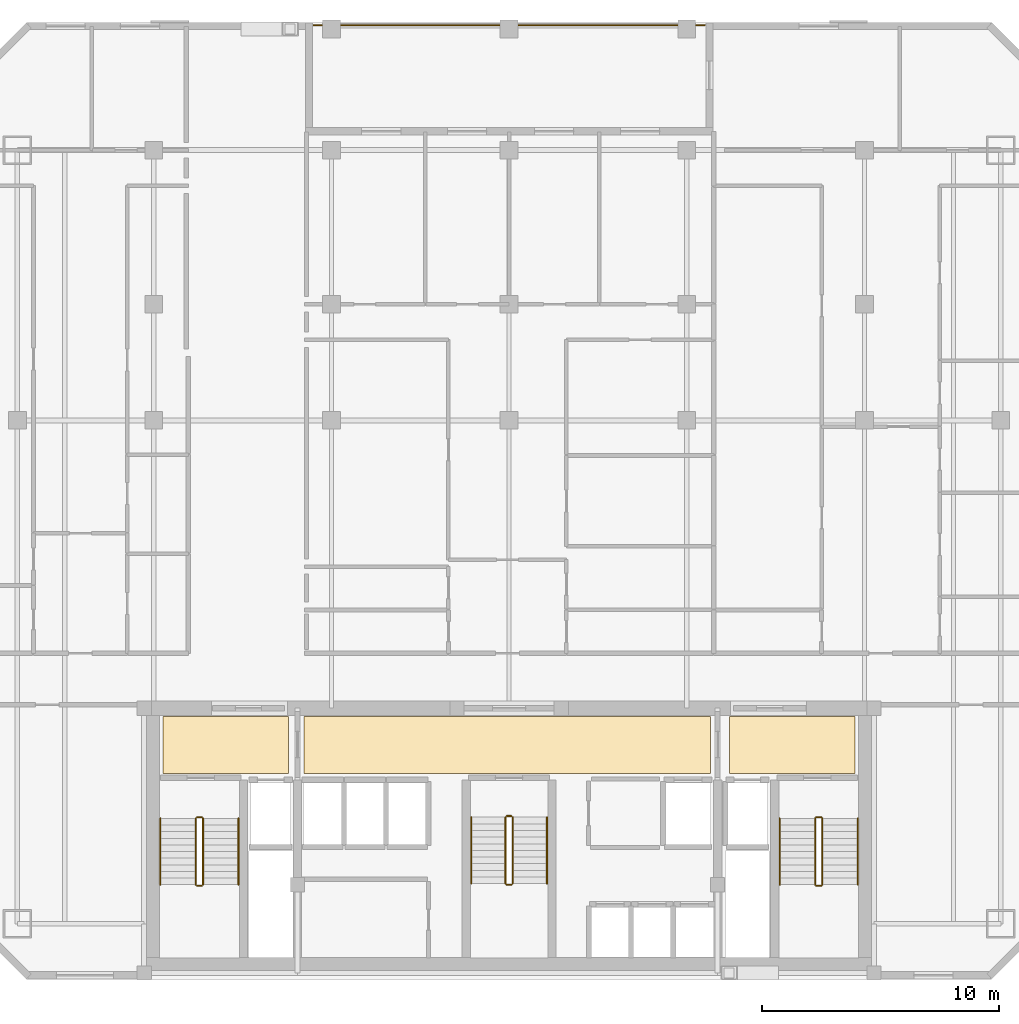
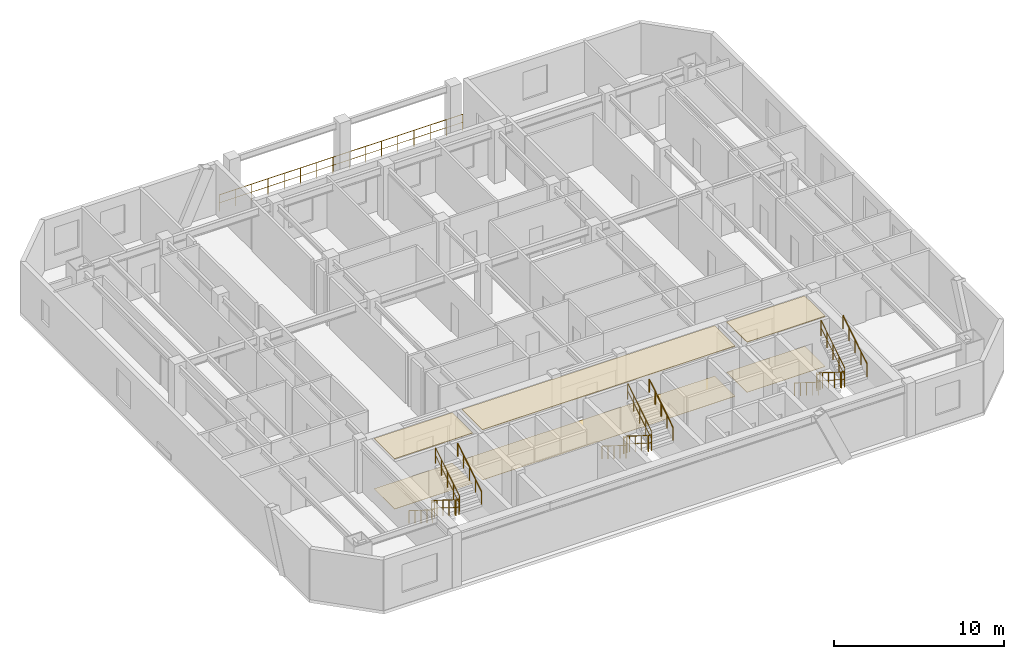
# One storey, part 8 of 8: 19 railings, 6 coverings.
"""IFC4 building model written with IfcOpenShell, lengths in metres."""

from ifc_helpers import new_model, si_unit, direction, frame, origin, origin_2d, place, context, subcontext, project, spatial, polyline, circle, outline, extrude, material, layer, layer_set, type_object, element, save


model = new_model("IFC4")

# Units and contexts
model_context = context("Model", 3, precision=1e-05, world=origin(), true_north=direction((0.0, 1.0)))
body_context = subcontext(model_context, "Body", "Model", "MODEL_VIEW")
ifc_project = project(units=[si_unit("LENGTHUNIT", "METRE"), si_unit("AREAUNIT", "SQUARE_METRE"), si_unit("VOLUMEUNIT", "CUBIC_METRE"), si_unit("PLANEANGLEUNIT", "RADIAN"), si_unit("MASSUNIT", "GRAM", prefix="KILO")], contexts=[model_context])

# Site, building, storey
site_placement = place(None, origin())
site = spatial("IfcSite", under=ifc_project, at=site_placement, CompositionType="ELEMENT")
building_placement = place(site_placement, origin())
building = spatial("IfcBuilding", under=site, at=building_placement, Name="Ventersveld Concourse Tower", CompositionType="ELEMENT")
storey_placement = place(building_placement, frame((0.0, 0.0, 196.449951171875)))
storey = spatial("IfcBuildingStorey", under=building, at=storey_placement, Name="L48", CompositionType="ELEMENT", Elevation=196.449951171875)

# Coverings
ifc_material_1 = material(Name="Mineral-fibre acoustic ceiling tile", Category="gypsum")
ifc_layer_1 = layer(ifc_material_1, 0.0400390625)
ifc_layer_set_1 = layer_set([ifc_layer_1], Name="Mineral-fibre acoustic ceiling tile")
covering_type_1 = type_object("IfcCoveringType", Name="COV-CEIL-ACOUSTIC", PredefinedType="CEILING", material=ifc_layer_set_1)
covering_1_placement = place(storey_placement, frame((0.0, 0.0, 3.590087890625)))
element("IfcCovering", 1, at=covering_1_placement, inside=storey, type_object=covering_type_1, Name="L48 North Lift Lobby Acoustic Ceiling", PredefinedType="CEILING", context=body_context, shape_type="SweptSolid", body=[
    extrude(outline(polyline([(20.10009765625, 8.699951171875), (37.25, 8.699951171875), (37.25, 11.10009765625), (20.10009765625, 11.10009765625), (20.10009765625, 8.699951171875)])), origin(), (0.0, 0.0, 1.0), 0.0400390625),
])
covering_2_placement = place(storey_placement, frame((0.0, 0.0, 3.590087890625)))
element("IfcCovering", 2, at=covering_2_placement, inside=storey, type_object=covering_type_1, Name="L48 West Firefighting Lobby Acoustic Ceiling", PredefinedType="CEILING", context=body_context, shape_type="SweptSolid", body=[
    extrude(outline(polyline([(14.14990234375, 8.699951171875), (19.449951171875, 8.699951171875), (19.449951171875, 11.10009765625), (14.14990234375, 11.10009765625), (14.14990234375, 8.699951171875)])), origin(), (0.0, 0.0, 1.0), 0.0400390625),
])
covering_3_placement = place(storey_placement, frame((0.0, 0.0, 3.590087890625)))
element("IfcCovering", 3, at=covering_3_placement, inside=storey, type_object=covering_type_1, Name="L48 East Firefighting Lobby Acoustic Ceiling", PredefinedType="CEILING", context=body_context, shape_type="SweptSolid", body=[
    extrude(outline(polyline([(38.050048828125, 8.699951171875), (43.35009765625, 8.699951171875), (43.35009765625, 11.10009765625), (38.050048828125, 11.10009765625), (38.050048828125, 8.699951171875)])), origin(), (0.0, 0.0, 1.0), 0.0400390625),
])
ifc_material_2 = material(Name="Polished Highveld granite terrazzo", Category="masonry")
ifc_layer_2 = layer(ifc_material_2, 0.02001953125)
ifc_layer_set_2 = layer_set([ifc_layer_2], Name="Polished Highveld granite terrazzo")
covering_type_2 = type_object("IfcCoveringType", Name="COV-FLOOR-TERRAZZO", PredefinedType="FLOORING", material=ifc_layer_set_2)
covering_4_placement = place(storey_placement, origin())
element("IfcCovering", 4, at=covering_4_placement, inside=storey, type_object=covering_type_2, Name="L48 North Lift Lobby Terrazzo Flooring", PredefinedType="FLOORING", context=body_context, shape_type="SweptSolid", body=[
    extrude(outline(polyline([(20.10009765625, 8.699951171875), (37.25, 8.699951171875), (37.25, 11.10009765625), (20.10009765625, 11.10009765625), (20.10009765625, 8.699951171875)])), origin(), (0.0, 0.0, 1.0), 0.02001953125),
])
covering_5_placement = place(storey_placement, origin())
element("IfcCovering", 5, at=covering_5_placement, inside=storey, type_object=covering_type_2, Name="L48 West Firefighting Lobby Terrazzo Flooring", PredefinedType="FLOORING", context=body_context, shape_type="SweptSolid", body=[
    extrude(outline(polyline([(14.14990234375, 8.699951171875), (19.449951171875, 8.699951171875), (19.449951171875, 11.10009765625), (14.14990234375, 11.10009765625), (14.14990234375, 8.699951171875)])), origin(), (0.0, 0.0, 1.0), 0.02001953125),
])
covering_6_placement = place(storey_placement, origin())
element("IfcCovering", 6, at=covering_6_placement, inside=storey, type_object=covering_type_2, Name="L48 East Firefighting Lobby Terrazzo Flooring", PredefinedType="FLOORING", context=body_context, shape_type="SweptSolid", body=[
    extrude(outline(polyline([(38.050048828125, 8.699951171875), (43.35009765625, 8.699951171875), (43.35009765625, 11.10009765625), (38.050048828125, 11.10009765625), (38.050048828125, 8.699951171875)])), origin(), (0.0, 0.0, 1.0), 0.02001953125),
])

# Railings
ifc_material_3 = material(Name="Brushed stainless steel 316", Category="steel")
railing_type_1 = type_object("IfcRailingType", Name="GD-BAL-115", PredefinedType="GUARDRAIL", material=ifc_material_3)
railing_1_placement = place(storey_placement, frame((15.530029296875, 6.800048828125, 0.175048828125)))
element("IfcRailing", 7, at=railing_1_placement, inside=storey, type_object=railing_type_1, Name="L48 ST-01 stair guard 1", PredefinedType="GUARDRAIL", context=body_context, shape_type="SweptSolid", body=[
    extrude(circle(Radius=0.02392578125, at=origin_2d()), frame((0.0, 0.0, 1.1259765625), z_axis=(0.0, -0.848002457836, 0.529992293815), x_axis=(1.0, 0.0, 0.0)), (0.0, 0.0, 1.0), 3.302001953125),
    extrude(circle(Radius=0.01611328125, at=origin_2d()), frame((0.0, 0.0, 0.574951171875), z_axis=(0.0, -0.848002457836, 0.529992293815), x_axis=(1.0, 0.0, 0.0)), (0.0, 0.0, 1.0), 3.302001953125),
    extrude(circle(Radius=0.02099609375, at=origin_2d()), origin(), (0.0, 0.0, 1.0), 1.101806640625),
    extrude(circle(Radius=0.02099609375, at=origin_2d()), frame((0.0, -0.699951171875, 0.4375)), (0.0, 0.0, 1.0), 1.101806640625),
    extrude(circle(Radius=0.02099609375, at=origin_2d()), frame((0.0, -1.39990234375, 0.875)), (0.0, 0.0, 1.0), 1.101806640625),
    extrude(circle(Radius=0.02099609375, at=origin_2d()), frame((0.0, -2.10009765625, 1.3125)), (0.0, 0.0, 1.0), 1.101806640625),
    extrude(circle(Radius=0.02099609375, at=origin_2d()), frame((0.0, -2.800048828125, 1.75)), (0.0, 0.0, 1.0), 1.101806640625),
])
railing_2_placement = place(storey_placement, frame((15.580078125, 3.949951171875, 1.925048828125)))
element("IfcRailing", 8, at=railing_2_placement, inside=storey, type_object=railing_type_1, Name="L48 ST-01 stair guard 2", PredefinedType="GUARDRAIL", context=body_context, shape_type="SweptSolid", body=[
    extrude(circle(Radius=0.02392578125, at=origin_2d()), frame((0.0, 0.0, 1.1259765625), z_axis=(1.0, 0.0, 0.0), x_axis=(0.0, 1.0, 0.0)), (0.0, 0.0, 1.0), 0.199951171875),
    extrude(circle(Radius=0.01611328125, at=origin_2d()), frame((0.0, 0.0, 0.574951171875), z_axis=(1.0, 0.0, 0.0), x_axis=(0.0, 1.0, 0.0)), (0.0, 0.0, 1.0), 0.199951171875),
    extrude(circle(Radius=0.02099609375, at=origin_2d()), origin(), (0.0, 0.0, 1.0), 1.101806640625),
    extrude(circle(Radius=0.02099609375, at=origin_2d()), frame((0.199951171875, 0.0, 0.0)), (0.0, 0.0, 1.0), 1.101806640625),
])
railing_3_placement = place(storey_placement, frame((15.830078125, 4.0, 2.10009765625)))
element("IfcRailing", 9, at=railing_3_placement, inside=storey, type_object=railing_type_1, Name="L48 ST-01 stair guard 3", PredefinedType="GUARDRAIL", context=body_context, shape_type="SweptSolid", body=[
    extrude(circle(Radius=0.02392578125, at=origin_2d()), frame((0.0, 0.0, 1.1259765625), z_axis=(0.0, 0.848002457836, 0.529992293815), x_axis=(-1.0, 0.0, 0.0)), (0.0, 0.0, 1.0), 3.302001953125),
    extrude(circle(Radius=0.01611328125, at=origin_2d()), frame((0.0, 0.0, 0.574951171875), z_axis=(0.0, 0.848002457836, 0.529992293815), x_axis=(-1.0, 0.0, 0.0)), (0.0, 0.0, 1.0), 3.302001953125),
    extrude(circle(Radius=0.02099609375, at=origin_2d()), origin(), (0.0, 0.0, 1.0), 1.101806640625),
    extrude(circle(Radius=0.02099609375, at=origin_2d()), frame((0.0, 0.699951171875, 0.4375)), (0.0, 0.0, 1.0), 1.101806640625),
    extrude(circle(Radius=0.02099609375, at=origin_2d()), frame((0.0, 1.39990234375, 0.875)), (0.0, 0.0, 1.0), 1.101806640625),
    extrude(circle(Radius=0.02099609375, at=origin_2d()), frame((0.0, 2.10009765625, 1.3125)), (0.0, 0.0, 1.0), 1.101806640625),
    extrude(circle(Radius=0.02099609375, at=origin_2d()), frame((0.0, 2.800048828125, 1.75)), (0.0, 0.0, 1.0), 1.101806640625),
])
railing_4_placement = place(storey_placement, frame((15.580078125, 6.85009765625, 0.0)))
element("IfcRailing", 10, at=railing_4_placement, inside=storey, type_object=railing_type_1, Name="L48 ST-01 stair guard 4", PredefinedType="GUARDRAIL", context=body_context, shape_type="SweptSolid", body=[
    extrude(circle(Radius=0.02392578125, at=origin_2d()), frame((0.0, 0.0, 1.1259765625), z_axis=(1.0, 0.0, 0.0), x_axis=(0.0, 1.0, 0.0)), (0.0, 0.0, 1.0), 0.199951171875),
    extrude(circle(Radius=0.01611328125, at=origin_2d()), frame((0.0, 0.0, 0.574951171875), z_axis=(1.0, 0.0, 0.0), x_axis=(0.0, 1.0, 0.0)), (0.0, 0.0, 1.0), 0.199951171875),
    extrude(circle(Radius=0.02099609375, at=origin_2d()), origin(), (0.0, 0.0, 1.0), 1.101806640625),
    extrude(circle(Radius=0.02099609375, at=origin_2d()), frame((0.199951171875, 0.0, 0.0)), (0.0, 0.0, 1.0), 1.101806640625),
])
railing_5_placement = place(storey_placement, frame((41.669921875, 6.800048828125, 0.175048828125)))
element("IfcRailing", 11, at=railing_5_placement, inside=storey, type_object=railing_type_1, Name="L48 ST-02 stair guard 1", PredefinedType="GUARDRAIL", context=body_context, shape_type="SweptSolid", body=[
    extrude(circle(Radius=0.02392578125, at=origin_2d()), frame((0.0, 0.0, 1.1259765625), z_axis=(0.0, -0.848002457836, 0.529992293815), x_axis=(1.0, 0.0, 0.0)), (0.0, 0.0, 1.0), 3.302001953125),
    extrude(circle(Radius=0.01611328125, at=origin_2d()), frame((0.0, 0.0, 0.574951171875), z_axis=(0.0, -0.848002457836, 0.529992293815), x_axis=(1.0, 0.0, 0.0)), (0.0, 0.0, 1.0), 3.302001953125),
    extrude(circle(Radius=0.02099609375, at=origin_2d()), origin(), (0.0, 0.0, 1.0), 1.101806640625),
    extrude(circle(Radius=0.02099609375, at=origin_2d()), frame((0.0, -0.699951171875, 0.4375)), (0.0, 0.0, 1.0), 1.101806640625),
    extrude(circle(Radius=0.02099609375, at=origin_2d()), frame((0.0, -1.39990234375, 0.875)), (0.0, 0.0, 1.0), 1.101806640625),
    extrude(circle(Radius=0.02099609375, at=origin_2d()), frame((0.0, -2.10009765625, 1.3125)), (0.0, 0.0, 1.0), 1.101806640625),
    extrude(circle(Radius=0.02099609375, at=origin_2d()), frame((0.0, -2.800048828125, 1.75)), (0.0, 0.0, 1.0), 1.101806640625),
])
railing_6_placement = place(storey_placement, frame((41.719970703125, 3.949951171875, 1.925048828125)))
element("IfcRailing", 12, at=railing_6_placement, inside=storey, type_object=railing_type_1, Name="L48 ST-02 stair guard 2", PredefinedType="GUARDRAIL", context=body_context, shape_type="SweptSolid", body=[
    extrude(circle(Radius=0.02392578125, at=origin_2d()), frame((0.0, 0.0, 1.1259765625), z_axis=(1.0, 0.0, 0.0), x_axis=(0.0, 1.0, 0.0)), (0.0, 0.0, 1.0), 0.199951171875),
    extrude(circle(Radius=0.01611328125, at=origin_2d()), frame((0.0, 0.0, 0.574951171875), z_axis=(1.0, 0.0, 0.0), x_axis=(0.0, 1.0, 0.0)), (0.0, 0.0, 1.0), 0.199951171875),
    extrude(circle(Radius=0.02099609375, at=origin_2d()), origin(), (0.0, 0.0, 1.0), 1.101806640625),
    extrude(circle(Radius=0.02099609375, at=origin_2d()), frame((0.199951171875, 0.0, 0.0)), (0.0, 0.0, 1.0), 1.101806640625),
])
railing_7_placement = place(storey_placement, frame((41.969970703125, 4.0, 2.10009765625)))
element("IfcRailing", 13, at=railing_7_placement, inside=storey, type_object=railing_type_1, Name="L48 ST-02 stair guard 3", PredefinedType="GUARDRAIL", context=body_context, shape_type="SweptSolid", body=[
    extrude(circle(Radius=0.02392578125, at=origin_2d()), frame((0.0, 0.0, 1.1259765625), z_axis=(0.0, 0.848002457836, 0.529992293815), x_axis=(-1.0, 0.0, 0.0)), (0.0, 0.0, 1.0), 3.302001953125),
    extrude(circle(Radius=0.01611328125, at=origin_2d()), frame((0.0, 0.0, 0.574951171875), z_axis=(0.0, 0.848002457836, 0.529992293815), x_axis=(-1.0, 0.0, 0.0)), (0.0, 0.0, 1.0), 3.302001953125),
    extrude(circle(Radius=0.02099609375, at=origin_2d()), origin(), (0.0, 0.0, 1.0), 1.101806640625),
    extrude(circle(Radius=0.02099609375, at=origin_2d()), frame((0.0, 0.699951171875, 0.4375)), (0.0, 0.0, 1.0), 1.101806640625),
    extrude(circle(Radius=0.02099609375, at=origin_2d()), frame((0.0, 1.39990234375, 0.875)), (0.0, 0.0, 1.0), 1.101806640625),
    extrude(circle(Radius=0.02099609375, at=origin_2d()), frame((0.0, 2.10009765625, 1.3125)), (0.0, 0.0, 1.0), 1.101806640625),
    extrude(circle(Radius=0.02099609375, at=origin_2d()), frame((0.0, 2.800048828125, 1.75)), (0.0, 0.0, 1.0), 1.101806640625),
])
railing_8_placement = place(storey_placement, frame((41.719970703125, 6.85009765625, 0.0)))
element("IfcRailing", 14, at=railing_8_placement, inside=storey, type_object=railing_type_1, Name="L48 ST-02 stair guard 4", PredefinedType="GUARDRAIL", context=body_context, shape_type="SweptSolid", body=[
    extrude(circle(Radius=0.02392578125, at=origin_2d()), frame((0.0, 0.0, 1.1259765625), z_axis=(1.0, 0.0, 0.0), x_axis=(0.0, 1.0, 0.0)), (0.0, 0.0, 1.0), 0.199951171875),
    extrude(circle(Radius=0.01611328125, at=origin_2d()), frame((0.0, 0.0, 0.574951171875), z_axis=(1.0, 0.0, 0.0), x_axis=(0.0, 1.0, 0.0)), (0.0, 0.0, 1.0), 0.199951171875),
    extrude(circle(Radius=0.02099609375, at=origin_2d()), origin(), (0.0, 0.0, 1.0), 1.101806640625),
    extrude(circle(Radius=0.02099609375, at=origin_2d()), frame((0.199951171875, 0.0, 0.0)), (0.0, 0.0, 1.0), 1.101806640625),
])
railing_9_placement = place(storey_placement, frame((28.60009765625, 6.85009765625, 0.175048828125)))
element("IfcRailing", 15, at=railing_9_placement, inside=storey, type_object=railing_type_1, Name="L48 ST-03 stair guard 1", PredefinedType="GUARDRAIL", context=body_context, shape_type="SweptSolid", body=[
    extrude(circle(Radius=0.02392578125, at=origin_2d()), frame((0.0, 0.0, 1.1259765625), z_axis=(0.0, -0.848002457836, 0.529992293815), x_axis=(1.0, 0.0, 0.0)), (0.0, 0.0, 1.0), 3.302001953125),
    extrude(circle(Radius=0.01611328125, at=origin_2d()), frame((0.0, 0.0, 0.574951171875), z_axis=(0.0, -0.848002457836, 0.529992293815), x_axis=(1.0, 0.0, 0.0)), (0.0, 0.0, 1.0), 3.302001953125),
    extrude(circle(Radius=0.02099609375, at=origin_2d()), origin(), (0.0, 0.0, 1.0), 1.101806640625),
    extrude(circle(Radius=0.02099609375, at=origin_2d()), frame((0.0, -0.699951171875, 0.4375)), (0.0, 0.0, 1.0), 1.101806640625),
    extrude(circle(Radius=0.02099609375, at=origin_2d()), frame((0.0, -1.39990234375, 0.875)), (0.0, 0.0, 1.0), 1.101806640625),
    extrude(circle(Radius=0.02099609375, at=origin_2d()), frame((0.0, -2.10009765625, 1.3125)), (0.0, 0.0, 1.0), 1.101806640625),
    extrude(circle(Radius=0.02099609375, at=origin_2d()), frame((0.0, -2.800048828125, 1.75)), (0.0, 0.0, 1.0), 1.101806640625),
])
railing_10_placement = place(storey_placement, frame((28.64990234375, 4.0, 1.925048828125)))
element("IfcRailing", 16, at=railing_10_placement, inside=storey, type_object=railing_type_1, Name="L48 ST-03 stair guard 2", PredefinedType="GUARDRAIL", context=body_context, shape_type="SweptSolid", body=[
    extrude(circle(Radius=0.02392578125, at=origin_2d()), frame((0.0, 0.0, 1.1259765625), z_axis=(1.0, 0.0, 0.0), x_axis=(0.0, 1.0, 0.0)), (0.0, 0.0, 1.0), 0.2001953125),
    extrude(circle(Radius=0.01611328125, at=origin_2d()), frame((0.0, 0.0, 0.574951171875), z_axis=(1.0, 0.0, 0.0), x_axis=(0.0, 1.0, 0.0)), (0.0, 0.0, 1.0), 0.2001953125),
    extrude(circle(Radius=0.02099609375, at=origin_2d()), origin(), (0.0, 0.0, 1.0), 1.101806640625),
    extrude(circle(Radius=0.02099609375, at=origin_2d()), frame((0.2001953125, 0.0, 0.0)), (0.0, 0.0, 1.0), 1.101806640625),
])
railing_11_placement = place(storey_placement, frame((28.89990234375, 4.050048828125, 2.10009765625)))
element("IfcRailing", 17, at=railing_11_placement, inside=storey, type_object=railing_type_1, Name="L48 ST-03 stair guard 3", PredefinedType="GUARDRAIL", context=body_context, shape_type="SweptSolid", body=[
    extrude(circle(Radius=0.02392578125, at=origin_2d()), frame((0.0, 0.0, 1.1259765625), z_axis=(0.0, 0.848002457836, 0.529992293815), x_axis=(-1.0, 0.0, 0.0)), (0.0, 0.0, 1.0), 3.302001953125),
    extrude(circle(Radius=0.01611328125, at=origin_2d()), frame((0.0, 0.0, 0.574951171875), z_axis=(0.0, 0.848002457836, 0.529992293815), x_axis=(-1.0, 0.0, 0.0)), (0.0, 0.0, 1.0), 3.302001953125),
    extrude(circle(Radius=0.02099609375, at=origin_2d()), origin(), (0.0, 0.0, 1.0), 1.101806640625),
    extrude(circle(Radius=0.02099609375, at=origin_2d()), frame((0.0, 0.699951171875, 0.4375)), (0.0, 0.0, 1.0), 1.101806640625),
    extrude(circle(Radius=0.02099609375, at=origin_2d()), frame((0.0, 1.39990234375, 0.875)), (0.0, 0.0, 1.0), 1.101806640625),
    extrude(circle(Radius=0.02099609375, at=origin_2d()), frame((0.0, 2.10009765625, 1.3125)), (0.0, 0.0, 1.0), 1.101806640625),
    extrude(circle(Radius=0.02099609375, at=origin_2d()), frame((0.0, 2.800048828125, 1.75)), (0.0, 0.0, 1.0), 1.101806640625),
])
railing_12_placement = place(storey_placement, frame((28.64990234375, 6.89990234375, 0.0)))
element("IfcRailing", 18, at=railing_12_placement, inside=storey, type_object=railing_type_1, Name="L48 ST-03 stair guard 4", PredefinedType="GUARDRAIL", context=body_context, shape_type="SweptSolid", body=[
    extrude(circle(Radius=0.02392578125, at=origin_2d()), frame((0.0, 0.0, 1.1259765625), z_axis=(1.0, 0.0, 0.0), x_axis=(0.0, 1.0, 0.0)), (0.0, 0.0, 1.0), 0.2001953125),
    extrude(circle(Radius=0.01611328125, at=origin_2d()), frame((0.0, 0.0, 0.574951171875), z_axis=(1.0, 0.0, 0.0), x_axis=(0.0, 1.0, 0.0)), (0.0, 0.0, 1.0), 0.2001953125),
    extrude(circle(Radius=0.02099609375, at=origin_2d()), origin(), (0.0, 0.0, 1.0), 1.101806640625),
    extrude(circle(Radius=0.02099609375, at=origin_2d()), frame((0.2001953125, 0.0, 0.0)), (0.0, 0.0, 1.0), 1.101806640625),
])
railing_type_2 = type_object("IfcRailingType", Name="GD-TER-120", PredefinedType="GUARDRAIL", material=ifc_material_3)
railing_13_placement = place(storey_placement, frame((20.5, 40.280029296875, 0.0)))
element("IfcRailing", 19, at=railing_13_placement, inside=storey, type_object=railing_type_2, Name="L48 Outdoor Terrace Guardrail NOTCH-N", PredefinedType="GUARDRAIL", context=body_context, shape_type="SweptSolid", body=[
    extrude(circle(Radius=0.02392578125, at=origin_2d()), frame((0.0, 0.0, 1.17578125), z_axis=(1.0, 0.0, 0.0), x_axis=(0.0, 1.0, 0.0)), (0.0, 0.0, 1.0), 16.5),
    extrude(circle(Radius=0.01611328125, at=origin_2d()), frame((0.0, 0.0, 0.60009765625), z_axis=(1.0, 0.0, 0.0), x_axis=(0.0, 1.0, 0.0)), (0.0, 0.0, 1.0), 16.5),
    extrude(circle(Radius=0.02099609375, at=origin_2d()), origin(), (0.0, 0.0, 1.0), 1.15185546875),
    extrude(circle(Radius=0.02099609375, at=origin_2d()), frame((1.10009765625, 0.0, 0.0)), (0.0, 0.0, 1.0), 1.15185546875),
    extrude(circle(Radius=0.02099609375, at=origin_2d()), frame((2.199951171875, 0.0, 0.0)), (0.0, 0.0, 1.0), 1.15185546875),
    extrude(circle(Radius=0.02099609375, at=origin_2d()), frame((3.300048828125, 0.0, 0.0)), (0.0, 0.0, 1.0), 1.15185546875),
    extrude(circle(Radius=0.02099609375, at=origin_2d()), frame((4.39990234375, 0.0, 0.0)), (0.0, 0.0, 1.0), 1.15185546875),
    extrude(circle(Radius=0.02099609375, at=origin_2d()), frame((5.5, 0.0, 0.0)), (0.0, 0.0, 1.0), 1.15185546875),
    extrude(circle(Radius=0.02099609375, at=origin_2d()), frame((6.60009765625, 0.0, 0.0)), (0.0, 0.0, 1.0), 1.15185546875),
    extrude(circle(Radius=0.02099609375, at=origin_2d()), frame((7.699951171875, 0.0, 0.0)), (0.0, 0.0, 1.0), 1.15185546875),
    extrude(circle(Radius=0.02099609375, at=origin_2d()), frame((8.800048828125, 0.0, 0.0)), (0.0, 0.0, 1.0), 1.15185546875),
    extrude(circle(Radius=0.02099609375, at=origin_2d()), frame((9.89990234375, 0.0, 0.0)), (0.0, 0.0, 1.0), 1.15185546875),
    extrude(circle(Radius=0.02099609375, at=origin_2d()), frame((11.0, 0.0, 0.0)), (0.0, 0.0, 1.0), 1.15185546875),
    extrude(circle(Radius=0.02099609375, at=origin_2d()), frame((12.10009765625, 0.0, 0.0)), (0.0, 0.0, 1.0), 1.15185546875),
    extrude(circle(Radius=0.02099609375, at=origin_2d()), frame((13.199951171875, 0.0, 0.0)), (0.0, 0.0, 1.0), 1.15185546875),
    extrude(circle(Radius=0.02099609375, at=origin_2d()), frame((14.300048828125, 0.0, 0.0)), (0.0, 0.0, 1.0), 1.15185546875),
    extrude(circle(Radius=0.02099609375, at=origin_2d()), frame((15.39990234375, 0.0, 0.0)), (0.0, 0.0, 1.0), 1.15185546875),
    extrude(circle(Radius=0.02099609375, at=origin_2d()), frame((16.5, 0.0, 0.0)), (0.0, 0.0, 1.0), 1.15185546875),
])
railing_type_3 = type_object("IfcRailingType", Name="HR-RMP-095", PredefinedType="HANDRAIL", material=ifc_material_3)
railing_14_placement = place(storey_placement, frame((14.030029296875, 6.800048828125, 0.175048828125)))
element("IfcRailing", 20, at=railing_14_placement, inside=storey, type_object=railing_type_3, Name="L48 ST-01 stair handrail 1", PredefinedType="HANDRAIL", context=body_context, shape_type="SweptSolid", body=[
    extrude(circle(Radius=0.02392578125, at=origin_2d()), frame((0.0, 0.0, 0.92578125), z_axis=(0.0, -0.848002457836, 0.529992293815), x_axis=(1.0, 0.0, 0.0)), (0.0, 0.0, 1.0), 3.302001953125),
    extrude(circle(Radius=0.02099609375, at=origin_2d()), origin(), (0.0, 0.0, 1.0), 0.90185546875),
    extrude(circle(Radius=0.02099609375, at=origin_2d()), frame((0.0, -0.699951171875, 0.4375)), (0.0, 0.0, 1.0), 0.90185546875),
    extrude(circle(Radius=0.02099609375, at=origin_2d()), frame((0.0, -1.39990234375, 0.875)), (0.0, 0.0, 1.0), 0.90185546875),
    extrude(circle(Radius=0.02099609375, at=origin_2d()), frame((0.0, -2.10009765625, 1.3125)), (0.0, 0.0, 1.0), 0.90185546875),
    extrude(circle(Radius=0.02099609375, at=origin_2d()), frame((0.0, -2.800048828125, 1.75)), (0.0, 0.0, 1.0), 0.90185546875),
])
railing_15_placement = place(storey_placement, frame((17.330078125, 4.0, 2.10009765625)))
element("IfcRailing", 21, at=railing_15_placement, inside=storey, type_object=railing_type_3, Name="L48 ST-01 stair handrail 2", PredefinedType="HANDRAIL", context=body_context, shape_type="SweptSolid", body=[
    extrude(circle(Radius=0.02392578125, at=origin_2d()), frame((0.0, 0.0, 0.92578125), z_axis=(0.0, 0.848002457836, 0.529992293815), x_axis=(-1.0, 0.0, 0.0)), (0.0, 0.0, 1.0), 3.302001953125),
    extrude(circle(Radius=0.02099609375, at=origin_2d()), origin(), (0.0, 0.0, 1.0), 0.90185546875),
    extrude(circle(Radius=0.02099609375, at=origin_2d()), frame((0.0, 0.699951171875, 0.4375)), (0.0, 0.0, 1.0), 0.90185546875),
    extrude(circle(Radius=0.02099609375, at=origin_2d()), frame((0.0, 1.39990234375, 0.875)), (0.0, 0.0, 1.0), 0.90185546875),
    extrude(circle(Radius=0.02099609375, at=origin_2d()), frame((0.0, 2.10009765625, 1.3125)), (0.0, 0.0, 1.0), 0.90185546875),
    extrude(circle(Radius=0.02099609375, at=origin_2d()), frame((0.0, 2.800048828125, 1.75)), (0.0, 0.0, 1.0), 0.90185546875),
])
railing_16_placement = place(storey_placement, frame((40.169921875, 6.800048828125, 0.175048828125)))
element("IfcRailing", 22, at=railing_16_placement, inside=storey, type_object=railing_type_3, Name="L48 ST-02 stair handrail 1", PredefinedType="HANDRAIL", context=body_context, shape_type="SweptSolid", body=[
    extrude(circle(Radius=0.02392578125, at=origin_2d()), frame((0.0, 0.0, 0.92578125), z_axis=(0.0, -0.848002457836, 0.529992293815), x_axis=(1.0, 0.0, 0.0)), (0.0, 0.0, 1.0), 3.302001953125),
    extrude(circle(Radius=0.02099609375, at=origin_2d()), origin(), (0.0, 0.0, 1.0), 0.90185546875),
    extrude(circle(Radius=0.02099609375, at=origin_2d()), frame((0.0, -0.699951171875, 0.4375)), (0.0, 0.0, 1.0), 0.90185546875),
    extrude(circle(Radius=0.02099609375, at=origin_2d()), frame((0.0, -1.39990234375, 0.875)), (0.0, 0.0, 1.0), 0.90185546875),
    extrude(circle(Radius=0.02099609375, at=origin_2d()), frame((0.0, -2.10009765625, 1.3125)), (0.0, 0.0, 1.0), 0.90185546875),
    extrude(circle(Radius=0.02099609375, at=origin_2d()), frame((0.0, -2.800048828125, 1.75)), (0.0, 0.0, 1.0), 0.90185546875),
])
railing_17_placement = place(storey_placement, frame((43.469970703125, 4.0, 2.10009765625)))
element("IfcRailing", 23, at=railing_17_placement, inside=storey, type_object=railing_type_3, Name="L48 ST-02 stair handrail 2", PredefinedType="HANDRAIL", context=body_context, shape_type="SweptSolid", body=[
    extrude(circle(Radius=0.02392578125, at=origin_2d()), frame((0.0, 0.0, 0.92578125), z_axis=(0.0, 0.848002457836, 0.529992293815), x_axis=(-1.0, 0.0, 0.0)), (0.0, 0.0, 1.0), 3.302001953125),
    extrude(circle(Radius=0.02099609375, at=origin_2d()), origin(), (0.0, 0.0, 1.0), 0.90185546875),
    extrude(circle(Radius=0.02099609375, at=origin_2d()), frame((0.0, 0.699951171875, 0.4375)), (0.0, 0.0, 1.0), 0.90185546875),
    extrude(circle(Radius=0.02099609375, at=origin_2d()), frame((0.0, 1.39990234375, 0.875)), (0.0, 0.0, 1.0), 0.90185546875),
    extrude(circle(Radius=0.02099609375, at=origin_2d()), frame((0.0, 2.10009765625, 1.3125)), (0.0, 0.0, 1.0), 0.90185546875),
    extrude(circle(Radius=0.02099609375, at=origin_2d()), frame((0.0, 2.800048828125, 1.75)), (0.0, 0.0, 1.0), 0.90185546875),
])
railing_18_placement = place(storey_placement, frame((27.14990234375, 6.85009765625, 0.175048828125)))
element("IfcRailing", 24, at=railing_18_placement, inside=storey, type_object=railing_type_3, Name="L48 ST-03 stair handrail 1", PredefinedType="HANDRAIL", context=body_context, shape_type="SweptSolid", body=[
    extrude(circle(Radius=0.02392578125, at=origin_2d()), frame((0.0, 0.0, 0.92578125), z_axis=(0.0, -0.848002457836, 0.529992293815), x_axis=(1.0, 0.0, 0.0)), (0.0, 0.0, 1.0), 3.302001953125),
    extrude(circle(Radius=0.02099609375, at=origin_2d()), origin(), (0.0, 0.0, 1.0), 0.90185546875),
    extrude(circle(Radius=0.02099609375, at=origin_2d()), frame((0.0, -0.699951171875, 0.4375)), (0.0, 0.0, 1.0), 0.90185546875),
    extrude(circle(Radius=0.02099609375, at=origin_2d()), frame((0.0, -1.39990234375, 0.875)), (0.0, 0.0, 1.0), 0.90185546875),
    extrude(circle(Radius=0.02099609375, at=origin_2d()), frame((0.0, -2.10009765625, 1.3125)), (0.0, 0.0, 1.0), 0.90185546875),
    extrude(circle(Radius=0.02099609375, at=origin_2d()), frame((0.0, -2.800048828125, 1.75)), (0.0, 0.0, 1.0), 0.90185546875),
])
railing_19_placement = place(storey_placement, frame((30.35009765625, 4.050048828125, 2.10009765625)))
element("IfcRailing", 25, at=railing_19_placement, inside=storey, type_object=railing_type_3, Name="L48 ST-03 stair handrail 2", PredefinedType="HANDRAIL", context=body_context, shape_type="SweptSolid", body=[
    extrude(circle(Radius=0.02392578125, at=origin_2d()), frame((0.0, 0.0, 0.92578125), z_axis=(0.0, 0.848002457836, 0.529992293815), x_axis=(-1.0, 0.0, 0.0)), (0.0, 0.0, 1.0), 3.302001953125),
    extrude(circle(Radius=0.02099609375, at=origin_2d()), origin(), (0.0, 0.0, 1.0), 0.90185546875),
    extrude(circle(Radius=0.02099609375, at=origin_2d()), frame((0.0, 0.699951171875, 0.4375)), (0.0, 0.0, 1.0), 0.90185546875),
    extrude(circle(Radius=0.02099609375, at=origin_2d()), frame((0.0, 1.39990234375, 0.875)), (0.0, 0.0, 1.0), 0.90185546875),
    extrude(circle(Radius=0.02099609375, at=origin_2d()), frame((0.0, 2.10009765625, 1.3125)), (0.0, 0.0, 1.0), 0.90185546875),
    extrude(circle(Radius=0.02099609375, at=origin_2d()), frame((0.0, 2.800048828125, 1.75)), (0.0, 0.0, 1.0), 0.90185546875),
])

save(model, "model.ifc")
